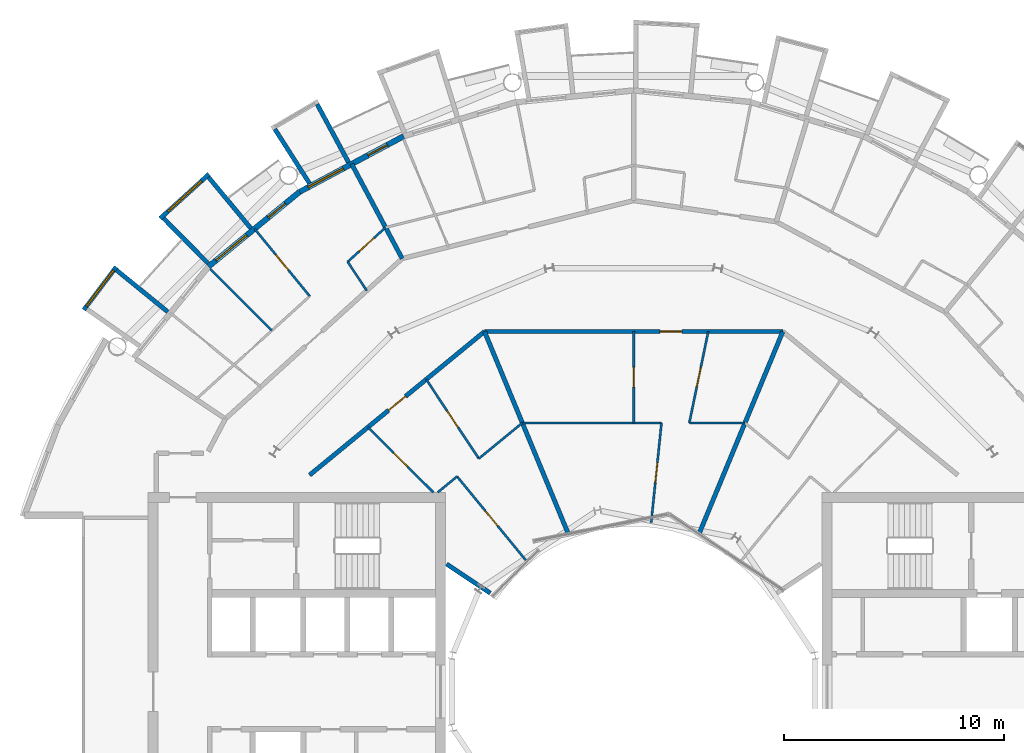
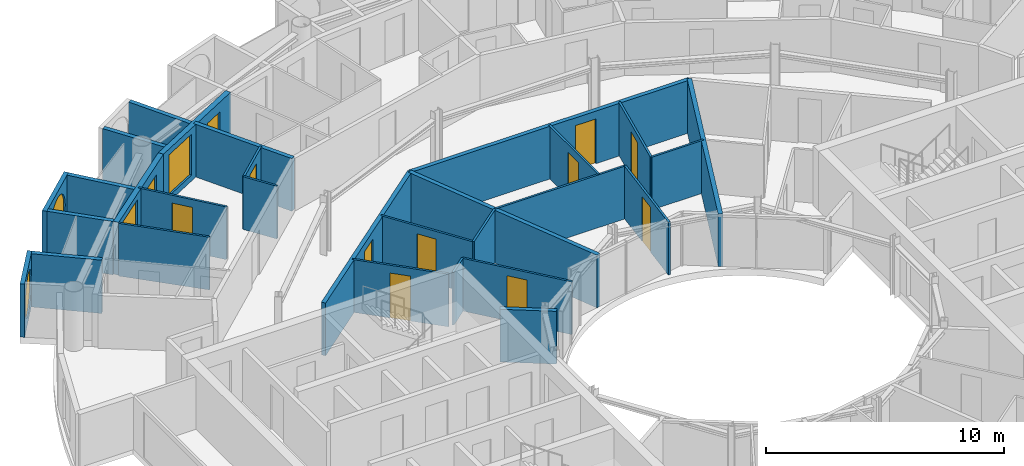
# One storey, part 21 of 29: 29 walls, 12 doors, 4 windows, 16 openings.
"""IFC4 building model written with IfcOpenShell, lengths in metres."""

from ifc_helpers import new_model, si_unit, direction, frame, frame_2d, origin, place, context, subcontext, project, spatial, rectangle, circle, extrude, material, layer, layer_set, type_object, element, fill, save


model = new_model("IFC4")

# Units and contexts
model_context = context("Model", 3, precision=1e-05, world=origin(), true_north=direction((0.0, 1.0)))
body_context = subcontext(model_context, "Body", "Model", "MODEL_VIEW")
ifc_project = project(units=[si_unit("LENGTHUNIT", "METRE"), si_unit("AREAUNIT", "SQUARE_METRE"), si_unit("VOLUMEUNIT", "CUBIC_METRE"), si_unit("PLANEANGLEUNIT", "RADIAN"), si_unit("MASSUNIT", "GRAM", prefix="KILO")], contexts=[model_context])

# Site, building, storey
site_placement = place(None, origin())
site = spatial("IfcSite", under=ifc_project, at=site_placement, CompositionType="ELEMENT")
building_placement = place(site_placement, origin())
building = spatial("IfcBuilding", under=site, at=building_placement, Name="Maasbend Ring Residences", CompositionType="ELEMENT")
storey_placement = place(building_placement, frame((0.0, 0.0, 215.75)))
storey = spatial("IfcBuildingStorey", under=building, at=storey_placement, Name="L62", CompositionType="ELEMENT", Elevation=215.75)

# Wall, opening, door
ifc_material_1 = material(Name="Concrete C30/37", Category="concrete")
ifc_layer_1 = layer(ifc_material_1, 0.199951171875)
ifc_layer_set_1 = layer_set([ifc_layer_1], Name="Concrete C30/37")
wall_type_1 = type_object("IfcWallType", Name="CORRIDOR WALL 200 CONCRETE", PredefinedType="PARTITIONING", material=ifc_layer_set_1)
wall_1_placement = place(storey_placement, frame((-6.77294921875, 16.35302734375, 0.0), z_axis=(0.0, 0.0, 1.0), x_axis=(1.0, 0.0, 0.0)))
wall_1 = element("IfcWall", 1, at=wall_1_placement, inside=storey, type_object=wall_type_1, Name="U-L62-w107", PredefinedType="PARTITIONING", context=body_context, shape_type="SweptSolid", body=[
    extrude(rectangle(XDim=13.5458984375, YDim=0.199951171875, at=frame_2d((6.77294921875, 0.0))), origin(), (0.0, 0.0, 1.0), 2.699951171875),
])
opening_1_placement = place(wall_1_placement, frame((7.966064453125, 0.0, 0.0)))
opening_1 = element("IfcOpeningElement", 2, at=opening_1_placement, cuts=wall_1, Name="Opening D-6227", PredefinedType="OPENING", context=body_context, shape_type="SweptSolid", body=[
    extrude(rectangle(XDim=1.0, YDim=2.300048828125, at=frame_2d((0.5, 1.14990234375))), frame((0.0, 0.10986328125, 0.0), z_axis=(0.0, -1.0, 0.0), x_axis=(1.0, 0.0, 0.0)), (0.0, 0.0, 1.0), 0.219970703125),
])
ifc_material_2 = material(Name="Timber, fire-rated, painted", Category="wood")
door_type_1 = type_object("IfcDoorType", Name="FLAT ENTRANCE DOOR 1000 X 2300 FIRE-RATED", OperationType="NOTDEFINED", PredefinedType="DOOR", material=ifc_material_2)
door_1_placement = place(opening_1_placement, origin())
door_1 = element("IfcDoor", 3, at=door_1_placement, inside=storey, type_object=door_type_1, Name="D-6227", OperationType="SINGLE_SWING_RIGHT", OverallHeight=2.300048828125, OverallWidth=1.0, PredefinedType="DOOR", context=body_context, shape_type="SweptSolid", body=[
    extrude(rectangle(XDim=1.0, YDim=2.300048828125, at=frame_2d((0.5, 1.14990234375))), frame((0.0, 0.02490234375, 0.0), z_axis=(0.0, -1.0, 0.0), x_axis=(1.0, 0.0, 0.0)), (0.0, 0.0, 1.0), 0.050048828125),
])
fill(opening_1, door_1)

wall_2_placement = place(storey_placement, frame((-14.717041015625, 9.833984375, 0.0), z_axis=(0.0, 0.0, 1.0), x_axis=(0.773034536097, 0.634363938131, 0.0)))
wall_2 = element("IfcWall", 4, at=wall_2_placement, inside=storey, type_object=wall_type_1, Name="U-L62-w108", PredefinedType="PARTITIONING", context=body_context, shape_type="SweptSolid", body=[
    extrude(rectangle(XDim=10.276611328125, YDim=0.199951171875, at=frame_2d((5.13818359375, 0.0))), origin(), (0.0, 0.0, 1.0), 2.699951171875),
])
opening_2_placement = place(wall_2_placement, frame((4.637939453125, 0.0, 0.0)))
opening_2 = element("IfcOpeningElement", 5, at=opening_2_placement, cuts=wall_2, Name="Opening D-6231", PredefinedType="OPENING", context=body_context, shape_type="SweptSolid", body=[
    extrude(rectangle(XDim=1.0, YDim=2.300048828125, at=frame_2d((0.5, 1.14990234375))), frame((0.0, 0.10986328125, 0.0), z_axis=(0.0, -1.0, 0.0), x_axis=(1.0, 0.0, 0.0)), (0.0, 0.0, 1.0), 0.219970703125),
])
door_2_placement = place(opening_2_placement, origin())
door_2 = element("IfcDoor", 6, at=door_2_placement, inside=storey, type_object=door_type_1, Name="D-6231", OperationType="SINGLE_SWING_LEFT", OverallHeight=2.300048828125, OverallWidth=1.0, PredefinedType="DOOR", context=body_context, shape_type="SweptSolid", body=[
    extrude(rectangle(XDim=1.0, YDim=2.300048828125, at=frame_2d((0.5, 1.14990234375))), frame((0.0, 0.02490234375, 0.0), z_axis=(0.0, -1.0, 0.0), x_axis=(1.0, 0.0, 0.0)), (0.0, 0.0, 1.0), 0.050048828125),
])
fill(opening_2, door_2)

# Walls
ifc_material_3 = material(Name="Pale anodised aluminium panel", Category="aluminium")
ifc_layer_2 = layer(ifc_material_3, 0.199951171875)
ifc_layer_set_2 = layer_set([ifc_layer_2], Name="EW-BOX")
wall_type_2 = type_object("IfcWallType", Name="EW-BOX", PredefinedType="SOLIDWALL", material=ifc_layer_set_2)
wall_3_placement = place(storey_placement, frame((-12.945068359375, 24.029052734375, -0.030029296875), z_axis=(0.0, 0.0, 1.0), x_axis=(-0.474424310775, 0.88029629861, 0.0)))
element("IfcWall", 7, at=wall_3_placement, inside=storey, type_object=wall_type_2, Name="Box side wall N16 left", PredefinedType="SOLIDWALL", context=body_context, shape_type="SweptSolid", body=[
    extrude(rectangle(XDim=3.005859375, YDim=0.199951171875, at=frame_2d((1.5029296875, 0.0))), origin(), (0.0, 0.0, 1.0), 2.72998046875),
])
wall_4_placement = place(storey_placement, frame((-14.721923828125, 23.0791015625, -0.030029296875), z_axis=(0.0, 0.0, 1.0), x_axis=(-0.537572179146, 0.843217737129, 0.0)))
element("IfcWall", 8, at=wall_4_placement, inside=storey, type_object=wall_type_2, Name="Box side wall N16 right", PredefinedType="SOLIDWALL", context=body_context, shape_type="SweptSolid", body=[
    extrude(rectangle(XDim=2.92431640625, YDim=0.199951171875, at=frame_2d((1.462158203125, 0.0))), origin(), (0.0, 0.0, 1.0), 2.72998046875),
])

# Wall, opening, window
wall_5_placement = place(storey_placement, frame((-19.281982421875, 23.5029296875, -0.030029296875), z_axis=(0.0, 0.0, 1.0), x_axis=(-0.740998365753, -0.671506829416, 0.0)))
wall_5 = element("IfcWall", 9, at=wall_5_placement, inside=storey, type_object=wall_type_2, Name="Box front N18", PredefinedType="SOLIDWALL", context=body_context, shape_type="SweptSolid", body=[
    extrude(rectangle(XDim=2.9931640625, YDim=0.199951171875, at=frame_2d((1.49658203125, 0.0))), origin(), (0.0, 0.0, 1.0), 2.72998046875),
])
opening_3_placement = place(wall_5_placement, frame((0.45654296875, 0.0, 0.330078125)))
opening_3 = element("IfcOpeningElement", 10, at=opening_3_placement, cuts=wall_5, Name="Opening W-RD", PredefinedType="OPENING", context=body_context, shape_type="SweptSolid", body=[
    extrude(circle(Radius=1.0400390625, at=frame_2d((1.0400390625, 1.0400390625))), frame((0.0, 0.10986328125, 0.0), z_axis=(0.0, -1.0, 0.0), x_axis=(1.0, 0.0, 0.0)), (0.0, 0.0, 1.0), 0.219970703125),
])
ifc_material_4 = material(Name="Aluminium and clear glass", Category="aluminium")
window_type_1 = type_object("IfcWindowType", Name="W-RD", PartitioningType="SINGLE_PANEL", PredefinedType="WINDOW", material=ifc_material_4)
window_1_placement = place(opening_3_placement, origin())
window_1 = element("IfcWindow", 11, at=window_1_placement, inside=storey, type_object=window_type_1, Name="Round window N18", OverallHeight=2.080078125, OverallWidth=2.080078125, PartitioningType="SINGLE_PANEL", PredefinedType="WINDOW", context=body_context, shape_type="SweptSolid", body=[
    extrude(circle(Radius=1.0400390625, at=frame_2d((1.0400390625, 1.0400390625))), frame((0.0, 0.030029296875, 0.0), z_axis=(0.0, -1.0, 0.0), x_axis=(1.0, 0.0, 0.0)), (0.0, 0.0, 1.0), 0.06005859375),
])
fill(opening_3, window_1)

# Walls
wall_6_placement = place(storey_placement, frame((-17.384033203125, 21.041015625, -0.030029296875), z_axis=(0.0, 0.0, 1.0), x_axis=(-0.63709551667, 0.770784861449, 0.0)))
element("IfcWall", 12, at=wall_6_placement, inside=storey, type_object=wall_type_2, Name="Box side wall N18 left", PredefinedType="SOLIDWALL", context=body_context, shape_type="SweptSolid", body=[
    extrude(rectangle(XDim=3.005859375, YDim=0.199951171875, at=frame_2d((1.5029296875, 0.0))), origin(), (0.0, 0.0, 1.0), 2.72998046875),
])
wall_7_placement = place(storey_placement, frame((-19.322998046875, 19.449951171875, -0.030029296875), z_axis=(0.0, 0.0, 1.0), x_axis=(-0.704476739375, 0.709727076896, 0.0)))
element("IfcWall", 13, at=wall_7_placement, inside=storey, type_object=wall_type_2, Name="Box side wall N18 right", PredefinedType="SOLIDWALL", context=body_context, shape_type="SweptSolid", body=[
    extrude(rectangle(XDim=2.883056640625, YDim=0.199951171875, at=frame_2d((1.44140625, 0.0))), origin(), (0.0, 0.0, 1.0), 2.72998046875),
])

# Wall, opening, window
wall_8_placement = place(storey_placement, frame((-23.4970703125, 19.2890625, -0.030029296875), z_axis=(0.0, 0.0, 1.0), x_axis=(-0.602806268067, -0.797887588059, 0.0)))
wall_8 = element("IfcWall", 14, at=wall_8_placement, inside=storey, type_object=wall_type_2, Name="Box front N20", PredefinedType="SOLIDWALL", context=body_context, shape_type="SweptSolid", body=[
    extrude(rectangle(XDim=2.446533203125, YDim=0.199951171875, at=frame_2d((1.22314453125, 0.0))), origin(), (0.0, 0.0, 1.0), 2.72998046875),
])
opening_4_placement = place(wall_8_placement, frame((0.182861328125, 0.0, 0.330078125)))
opening_4 = element("IfcOpeningElement", 15, at=opening_4_placement, cuts=wall_8, Name="Opening W-RD", PredefinedType="OPENING", context=body_context, shape_type="SweptSolid", body=[
    extrude(circle(Radius=1.0400390625, at=frame_2d((1.0400390625, 1.0400390625))), frame((0.0, 0.10986328125, 0.0), z_axis=(0.0, -1.0, 0.0), x_axis=(1.0, 0.0, 0.0)), (0.0, 0.0, 1.0), 0.219970703125),
])
window_2_placement = place(opening_4_placement, origin())
window_2 = element("IfcWindow", 16, at=window_2_placement, inside=storey, type_object=window_type_1, Name="Round window N20", OverallHeight=2.080078125, OverallWidth=2.080078125, PartitioningType="SINGLE_PANEL", PredefinedType="WINDOW", context=body_context, shape_type="SweptSolid", body=[
    extrude(circle(Radius=1.0400390625, at=frame_2d((1.0400390625, 1.0400390625))), frame((0.0, 0.030029296875, 0.0), z_axis=(0.0, -1.0, 0.0), x_axis=(1.0, 0.0, 0.0)), (0.0, 0.0, 1.0), 0.06005859375),
])
fill(opening_4, window_2)

# Wall
wall_9_placement = place(storey_placement, frame((-21.155029296875, 17.24609375, -0.030029296875), z_axis=(0.0, 0.0, 1.0), x_axis=(-0.775179004516, 0.631741648902, 0.0)))
element("IfcWall", 17, at=wall_9_placement, inside=storey, type_object=wall_type_2, Name="Box side wall N20 left", PredefinedType="SOLIDWALL", context=body_context, shape_type="SweptSolid", body=[
    extrude(rectangle(XDim=3.005859375, YDim=0.199951171875, at=frame_2d((1.5029296875, 0.0))), origin(), (0.0, 0.0, 1.0), 2.72998046875),
])

# Wall, openings, door, window
ifc_material_5 = material(Name="Aluminium clad insulated panel", Category="aluminium")
ifc_layer_3 = layer(ifc_material_5, 0.25)
ifc_layer_set_3 = layer_set([ifc_layer_3], Name="EW-GL")
wall_type_3 = type_object("IfcWallType", Name="EW-GL", PredefinedType="SOLIDWALL", material=ifc_layer_set_3)
wall_10_placement = place(storey_placement, frame((-10.447021484375, 25.221923828125, 0.0), z_axis=(0.0, 0.0, 1.0), x_axis=(-0.881915646801, -0.471407246368, 0.0)))
wall_10 = element("IfcWall", 18, at=wall_10_placement, inside=storey, type_object=wall_type_3, Name="External wall N08", PredefinedType="SOLIDWALL", context=body_context, shape_type="SweptSolid", body=[
    extrude(rectangle(XDim=5.35205078125, YDim=0.25, at=frame_2d((2.676025390625, 0.0))), origin(), (0.0, 0.0, 1.0), 2.699951171875),
])
opening_5_placement = place(wall_10_placement, frame((0.841064453125, 0.0, 0.0)))
opening_5 = element("IfcOpeningElement", 19, at=opening_5_placement, cuts=wall_10, Name="Opening D-LG", PredefinedType="OPENING", context=body_context, shape_type="SweptSolid", body=[
    extrude(rectangle(XDim=1.0, YDim=2.199951171875, at=frame_2d((0.5, 1.10009765625))), frame((0.0, 0.135009765625, 0.0), z_axis=(0.0, -1.0, 0.0), x_axis=(1.0, 0.0, 0.0)), (0.0, 0.0, 1.0), 0.27001953125),
])
opening_6_placement = place(wall_10_placement, frame((3.110595703125, 0.0, 0.300048828125)))
opening_6 = element("IfcOpeningElement", 20, at=opening_6_placement, cuts=wall_10, Name="Opening W-BX", PredefinedType="OPENING", context=body_context, shape_type="SweptSolid", body=[
    extrude(rectangle(XDim=1.800048828125, YDim=2.10009765625, at=frame_2d((0.89990234375, 1.050048828125))), frame((0.0, 0.135009765625, 0.0), z_axis=(0.0, -1.0, 0.0), x_axis=(1.0, 0.0, 0.0)), (0.0, 0.0, 1.0), 0.27001953125),
])
ifc_material_6 = material(Name="Aluminium and clear glass", Category="aluminium")
door_type_2 = type_object("IfcDoorType", Name="D-LG", OperationType="SINGLE_SWING_LEFT", PredefinedType="DOOR", material=ifc_material_6)
door_3_placement = place(opening_5_placement, origin())
door_3 = element("IfcDoor", 21, at=door_3_placement, inside=storey, type_object=door_type_2, Name="Loggia door N15", OperationType="SINGLE_SWING_LEFT", OverallHeight=2.199951171875, OverallWidth=1.0, PredefinedType="DOOR", context=body_context, shape_type="SweptSolid", body=[
    extrude(rectangle(XDim=1.0, YDim=2.199951171875, at=frame_2d((0.5, 1.10009765625))), frame((0.0, 0.02490234375, 0.0), z_axis=(0.0, -1.0, 0.0), x_axis=(1.0, 0.0, 0.0)), (0.0, 0.0, 1.0), 0.050048828125),
])
fill(opening_5, door_3)
ifc_material_7 = material(Name="Aluminium and clear glass", Category="aluminium")
window_type_2 = type_object("IfcWindowType", Name="W-BX", PartitioningType="DOUBLE_PANEL_VERTICAL", PredefinedType="WINDOW", material=ifc_material_7)
window_3_placement = place(opening_6_placement, origin())
window_3 = element("IfcWindow", 22, at=window_3_placement, inside=storey, type_object=window_type_2, Name="Window N16 room to box", OverallHeight=2.10009765625, OverallWidth=1.800048828125, PartitioningType="SINGLE_PANEL", PredefinedType="WINDOW", context=body_context, shape_type="SweptSolid", body=[
    extrude(rectangle(XDim=1.800048828125, YDim=2.10009765625, at=frame_2d((0.89990234375, 1.050048828125))), frame((0.0, 0.030029296875, 0.0), z_axis=(0.0, -1.0, 0.0), x_axis=(1.0, 0.0, 0.0)), (0.0, 0.0, 1.0), 0.06005859375),
])
fill(opening_6, window_3)

wall_11_placement = place(storey_placement, frame((-15.1669921875, 22.698974609375, 0.0), z_axis=(0.0, 0.0, 1.0), x_axis=(-0.773019449054, -0.634382322723, 0.0)))
wall_11 = element("IfcWall", 23, at=wall_11_placement, inside=storey, type_object=wall_type_3, Name="External wall N09", PredefinedType="SOLIDWALL", context=body_context, shape_type="SweptSolid", body=[
    extrude(rectangle(XDim=5.351806640625, YDim=0.25, at=frame_2d((2.67578125, 0.0))), origin(), (0.0, 0.0, 1.0), 2.699951171875),
])
opening_7_placement = place(wall_11_placement, frame((0.841064453125, 0.0, 0.0)))
opening_7 = element("IfcOpeningElement", 24, at=opening_7_placement, cuts=wall_11, Name="Opening D-LG", PredefinedType="OPENING", context=body_context, shape_type="SweptSolid", body=[
    extrude(rectangle(XDim=1.0, YDim=2.199951171875, at=frame_2d((0.5, 1.10009765625))), frame((0.0, 0.135009765625, 0.0), z_axis=(0.0, -1.0, 0.0), x_axis=(1.0, 0.0, 0.0)), (0.0, 0.0, 1.0), 0.27001953125),
])
opening_8_placement = place(wall_11_placement, frame((3.110595703125, 0.0, 0.300048828125)))
opening_8 = element("IfcOpeningElement", 25, at=opening_8_placement, cuts=wall_11, Name="Opening W-BX", PredefinedType="OPENING", context=body_context, shape_type="SweptSolid", body=[
    extrude(rectangle(XDim=1.800048828125, YDim=2.10009765625, at=frame_2d((0.89990234375, 1.050048828125))), frame((0.0, 0.135009765625, 0.0), z_axis=(0.0, -1.0, 0.0), x_axis=(1.0, 0.0, 0.0)), (0.0, 0.0, 1.0), 0.27001953125),
])
door_4_placement = place(opening_7_placement, origin())
door_4 = element("IfcDoor", 26, at=door_4_placement, inside=storey, type_object=door_type_2, Name="Loggia door N17", OperationType="SINGLE_SWING_LEFT", OverallHeight=2.199951171875, OverallWidth=1.0, PredefinedType="DOOR", context=body_context, shape_type="SweptSolid", body=[
    extrude(rectangle(XDim=1.0, YDim=2.199951171875, at=frame_2d((0.5, 1.10009765625))), frame((0.0, 0.02490234375, 0.0), z_axis=(0.0, -1.0, 0.0), x_axis=(1.0, 0.0, 0.0)), (0.0, 0.0, 1.0), 0.050048828125),
])
fill(opening_7, door_4)
window_4_placement = place(opening_8_placement, origin())
window_4 = element("IfcWindow", 27, at=window_4_placement, inside=storey, type_object=window_type_2, Name="Window N18 room to box", OverallHeight=2.10009765625, OverallWidth=1.800048828125, PartitioningType="SINGLE_PANEL", PredefinedType="WINDOW", context=body_context, shape_type="SweptSolid", body=[
    extrude(rectangle(XDim=1.800048828125, YDim=2.10009765625, at=frame_2d((0.89990234375, 1.050048828125))), frame((0.0, 0.030029296875, 0.0), z_axis=(0.0, -1.0, 0.0), x_axis=(1.0, 0.0, 0.0)), (0.0, 0.0, 1.0), 0.06005859375),
])
fill(opening_8, window_4)

# Wall
ifc_material_8 = material(Name="Gypsum board on steel studs", Category="steel")
ifc_layer_4 = layer(ifc_material_8, 0.10009765625)
ifc_layer_set_4 = layer_set([ifc_layer_4], Name="PARTITION 100 GYPSUM")
wall_type_4 = type_object("IfcWallType", Name="PARTITION 100 GYPSUM", PredefinedType="PARTITIONING", material=ifc_layer_set_4)
wall_12_placement = place(storey_placement, frame((-19.23388671875, 19.197021484375, 0.0), z_axis=(0.0, 0.0, 1.0), x_axis=(0.707722727509, -0.706490297858, 0.0)))
element("IfcWall", 28, at=wall_12_placement, inside=storey, type_object=wall_type_4, Name="U-L62-w042", PredefinedType="PARTITIONING", context=body_context, shape_type="SweptSolid", body=[
    extrude(rectangle(XDim=3.9619140625, YDim=0.10009765625, at=frame_2d((1.98095703125, 0.0))), origin(), (0.0, 0.0, 1.0), 2.699951171875),
])

# Wall, opening, door
wall_13_placement = place(storey_placement, frame((-17.218994140625, 21.02294921875, 0.0), z_axis=(0.0, 0.0, 1.0), x_axis=(0.633590098448, -0.773668913133, 0.0)))
wall_13 = element("IfcWall", 29, at=wall_13_placement, inside=storey, type_object=wall_type_4, Name="U-L62-w044", PredefinedType="PARTITIONING", context=body_context, shape_type="SweptSolid", body=[
    extrude(rectangle(XDim=3.961669921875, YDim=0.10009765625, at=frame_2d((1.98095703125, 0.0))), origin(), (0.0, 0.0, 1.0), 2.699951171875),
])
opening_9_placement = place(wall_13_placement, frame((1.531005859375, 0.0, 0.0)))
opening_9 = element("IfcOpeningElement", 30, at=opening_9_placement, cuts=wall_13, Name="Opening D-6220", PredefinedType="OPENING", context=body_context, shape_type="SweptSolid", body=[
    extrude(rectangle(XDim=0.89990234375, YDim=2.300048828125, at=frame_2d((0.449951171875, 1.14990234375))), frame((0.0, 0.06005859375, 0.0), z_axis=(0.0, -1.0, 0.0), x_axis=(1.0, 0.0, 0.0)), (0.0, 0.0, 1.0), 0.1201171875),
])
ifc_material_9 = material(Name="Timber, painted", Category="wood")
door_type_3 = type_object("IfcDoorType", Name="INTERNAL DOOR 900 X 2300", OperationType="NOTDEFINED", PredefinedType="DOOR", material=ifc_material_9)
door_5_placement = place(opening_9_placement, origin())
door_5 = element("IfcDoor", 31, at=door_5_placement, inside=storey, type_object=door_type_3, Name="D-6220", OperationType="SINGLE_SWING_LEFT", OverallHeight=2.300048828125, OverallWidth=0.89990234375, PredefinedType="DOOR", context=body_context, shape_type="SweptSolid", body=[
    extrude(rectangle(XDim=0.89990234375, YDim=2.300048828125, at=frame_2d((0.449951171875, 1.14990234375))), frame((0.0, 0.02490234375, 0.0), z_axis=(0.0, -1.0, 0.0), x_axis=(1.0, 0.0, 0.0)), (0.0, 0.0, 1.0), 0.050048828125),
])
fill(opening_9, door_5)

# Wall
wall_14_placement = place(storey_placement, frame((-12.988037109375, 19.51806640625, 0.0), z_axis=(0.0, 0.0, 1.0), x_axis=(0.554125989098, -0.832432813028, 0.0)))
element("IfcWall", 32, at=wall_14_placement, inside=storey, type_object=wall_type_4, Name="U-L62-w046", PredefinedType="PARTITIONING", context=body_context, shape_type="SweptSolid", body=[
    extrude(rectangle(XDim=1.5703125, YDim=0.10009765625, at=frame_2d((0.78515625, 0.0))), origin(), (0.0, 0.0, 1.0), 2.699951171875),
])

# Wall, opening, door
wall_15_placement = place(storey_placement, frame((-12.069091796875, 12.007080078125, 0.0), z_axis=(0.0, 0.0, 1.0), x_axis=(0.708909651863, -0.705299302067, 0.0)))
wall_15 = element("IfcWall", 33, at=wall_15_placement, inside=storey, type_object=wall_type_4, Name="U-L62-w049", PredefinedType="PARTITIONING", context=body_context, shape_type="SweptSolid", body=[
    extrude(rectangle(XDim=4.192626953125, YDim=0.10009765625, at=frame_2d((2.09619140625, 0.0))), origin(), (0.0, 0.0, 1.0), 2.699951171875),
])
opening_10_placement = place(wall_15_placement, frame((1.64599609375, 0.0, 0.0)))
opening_10 = element("IfcOpeningElement", 34, at=opening_10_placement, cuts=wall_15, Name="Opening D-6233", PredefinedType="OPENING", context=body_context, shape_type="SweptSolid", body=[
    extrude(rectangle(XDim=0.89990234375, YDim=2.300048828125, at=frame_2d((0.449951171875, 1.14990234375))), frame((0.0, 0.06005859375, 0.0), z_axis=(0.0, -1.0, 0.0), x_axis=(1.0, 0.0, 0.0)), (0.0, 0.0, 1.0), 0.1201171875),
])
door_6_placement = place(opening_10_placement, origin())
door_6 = element("IfcDoor", 35, at=door_6_placement, inside=storey, type_object=door_type_3, Name="D-6233", OperationType="SINGLE_SWING_RIGHT", OverallHeight=2.300048828125, OverallWidth=0.89990234375, PredefinedType="DOOR", context=body_context, shape_type="SweptSolid", body=[
    extrude(rectangle(XDim=0.89990234375, YDim=2.300048828125, at=frame_2d((0.449951171875, 1.14990234375))), frame((0.0, 0.02490234375, 0.0), z_axis=(0.0, -1.0, 0.0), x_axis=(1.0, 0.0, 0.0)), (0.0, 0.0, 1.0), 0.050048828125),
])
fill(opening_10, door_6)

wall_16_placement = place(storey_placement, frame((-9.4208984375, 14.179931640625, 0.0), z_axis=(0.0, 0.0, 1.0), x_axis=(0.553303732327, -0.832979579457, 0.0)))
wall_16 = element("IfcWall", 36, at=wall_16_placement, inside=storey, type_object=wall_type_4, Name="U-L62-w051", PredefinedType="PARTITIONING", context=body_context, shape_type="SweptSolid", body=[
    extrude(rectangle(XDim=4.3193359375, YDim=0.10009765625, at=frame_2d((2.15966796875, 0.0))), origin(), (0.0, 0.0, 1.0), 2.699951171875),
])
opening_11_placement = place(wall_16_placement, frame((1.7099609375, 0.0, 0.0)))
opening_11 = element("IfcOpeningElement", 37, at=opening_11_placement, cuts=wall_16, Name="Opening D-6232", PredefinedType="OPENING", context=body_context, shape_type="SweptSolid", body=[
    extrude(rectangle(XDim=0.89990234375, YDim=2.300048828125, at=frame_2d((0.449951171875, 1.14990234375))), frame((0.0, 0.06005859375, 0.0), z_axis=(0.0, -1.0, 0.0), x_axis=(1.0, 0.0, 0.0)), (0.0, 0.0, 1.0), 0.1201171875),
])
door_7_placement = place(opening_11_placement, origin())
door_7 = element("IfcDoor", 38, at=door_7_placement, inside=storey, type_object=door_type_3, Name="D-6232", OperationType="SINGLE_SWING_RIGHT", OverallHeight=2.300048828125, OverallWidth=0.89990234375, PredefinedType="DOOR", context=body_context, shape_type="SweptSolid", body=[
    extrude(rectangle(XDim=0.89990234375, YDim=2.300048828125, at=frame_2d((0.449951171875, 1.14990234375))), frame((0.0, 0.02490234375, 0.0), z_axis=(0.0, -1.0, 0.0), x_axis=(1.0, 0.0, 0.0)), (0.0, 0.0, 1.0), 0.050048828125),
])
fill(opening_11, door_7)

wall_17_placement = place(storey_placement, frame((-8.01904296875, 9.77099609375, 0.0), z_axis=(0.0, 0.0, 1.0), x_axis=(0.634401778971, -0.773003481776, 0.0)))
wall_17 = element("IfcWall", 39, at=wall_17_placement, inside=storey, type_object=wall_type_4, Name="U-L62-w053", PredefinedType="PARTITIONING", context=body_context, shape_type="SweptSolid", body=[
    extrude(rectangle(XDim=4.919677734375, YDim=0.10009765625, at=frame_2d((2.4599609375, 0.0))), origin(), (0.0, 0.0, 1.0), 2.699951171875),
])
opening_12_placement = place(wall_17_placement, frame((2.010009765625, 0.0, 0.0)))
opening_12 = element("IfcOpeningElement", 40, at=opening_12_placement, cuts=wall_17, Name="Opening D-6234", PredefinedType="OPENING", context=body_context, shape_type="SweptSolid", body=[
    extrude(rectangle(XDim=0.89990234375, YDim=2.300048828125, at=frame_2d((0.449951171875, 1.14990234375))), frame((0.0, 0.06005859375, 0.0), z_axis=(0.0, -1.0, 0.0), x_axis=(1.0, 0.0, 0.0)), (0.0, 0.0, 1.0), 0.1201171875),
])
door_8_placement = place(opening_12_placement, origin())
door_8 = element("IfcDoor", 41, at=door_8_placement, inside=storey, type_object=door_type_3, Name="D-6234", OperationType="SINGLE_SWING_RIGHT", OverallHeight=2.300048828125, OverallWidth=0.89990234375, PredefinedType="DOOR", context=body_context, shape_type="SweptSolid", body=[
    extrude(rectangle(XDim=0.89990234375, YDim=2.300048828125, at=frame_2d((0.449951171875, 1.14990234375))), frame((0.0, 0.02490234375, 0.0), z_axis=(0.0, -1.0, 0.0), x_axis=(1.0, 0.0, 0.0)), (0.0, 0.0, 1.0), 0.050048828125),
])
fill(opening_12, door_8)

wall_18_placement = place(storey_placement, frame((0.0, 12.2041015625, 0.0), z_axis=(0.0, 0.0, 1.0), x_axis=(0.0, 1.0, 0.0)))
wall_18 = element("IfcWall", 42, at=wall_18_placement, inside=storey, type_object=wall_type_4, Name="U-L62-w065", PredefinedType="PARTITIONING", context=body_context, shape_type="SweptSolid", body=[
    extrude(rectangle(XDim=4.14892578125, YDim=0.10009765625, at=frame_2d((2.074462890625, 0.0))), origin(), (0.0, 0.0, 1.0), 2.699951171875),
])
opening_13_placement = place(wall_18_placement, frame((1.625, 0.0, 0.0)))
opening_13 = element("IfcOpeningElement", 43, at=opening_13_placement, cuts=wall_18, Name="Opening D-6229", PredefinedType="OPENING", context=body_context, shape_type="SweptSolid", body=[
    extrude(rectangle(XDim=0.89990234375, YDim=2.300048828125, at=frame_2d((0.449951171875, 1.14990234375))), frame((0.0, 0.06005859375, 0.0), z_axis=(0.0, -1.0, 0.0), x_axis=(1.0, 0.0, 0.0)), (0.0, 0.0, 1.0), 0.1201171875),
])
door_9_placement = place(opening_13_placement, origin())
door_9 = element("IfcDoor", 44, at=door_9_placement, inside=storey, type_object=door_type_3, Name="D-6229", OperationType="SINGLE_SWING_RIGHT", OverallHeight=2.300048828125, OverallWidth=0.89990234375, PredefinedType="DOOR", context=body_context, shape_type="SweptSolid", body=[
    extrude(rectangle(XDim=0.89990234375, YDim=2.300048828125, at=frame_2d((0.449951171875, 1.14990234375))), frame((0.0, 0.02490234375, 0.0), z_axis=(0.0, -1.0, 0.0), x_axis=(1.0, 0.0, 0.0)), (0.0, 0.0, 1.0), 0.050048828125),
])
fill(opening_13, door_9)

wall_19_placement = place(storey_placement, frame((0.794921875, 7.678955078125, 0.0), z_axis=(0.0, 0.0, 1.0), x_axis=(0.103089563582, 0.994672077561, 0.0)))
wall_19 = element("IfcWall", 45, at=wall_19_placement, inside=storey, type_object=wall_type_4, Name="U-L62-w068", PredefinedType="PARTITIONING", context=body_context, shape_type="SweptSolid", body=[
    extrude(rectangle(XDim=4.54931640625, YDim=0.10009765625, at=frame_2d((2.274658203125, 0.0))), origin(), (0.0, 0.0, 1.0), 2.699951171875),
])
opening_14_placement = place(wall_19_placement, frame((1.824951171875, 0.0, 0.0)))
opening_14 = element("IfcOpeningElement", 46, at=opening_14_placement, cuts=wall_19, Name="Opening D-6230", PredefinedType="OPENING", context=body_context, shape_type="SweptSolid", body=[
    extrude(rectangle(XDim=0.89990234375, YDim=2.300048828125, at=frame_2d((0.449951171875, 1.14990234375))), frame((0.0, 0.06005859375, 0.0), z_axis=(0.0, -1.0, 0.0), x_axis=(1.0, 0.0, 0.0)), (0.0, 0.0, 1.0), 0.1201171875),
])
door_10_placement = place(opening_14_placement, origin())
door_10 = element("IfcDoor", 47, at=door_10_placement, inside=storey, type_object=door_type_3, Name="D-6230", OperationType="SINGLE_SWING_RIGHT", OverallHeight=2.300048828125, OverallWidth=0.89990234375, PredefinedType="DOOR", context=body_context, shape_type="SweptSolid", body=[
    extrude(rectangle(XDim=0.89990234375, YDim=2.300048828125, at=frame_2d((0.449951171875, 1.14990234375))), frame((0.0, 0.02490234375, 0.0), z_axis=(0.0, -1.0, 0.0), x_axis=(1.0, 0.0, 0.0)), (0.0, 0.0, 1.0), 0.050048828125),
])
fill(opening_14, door_10)

wall_20_placement = place(storey_placement, frame((2.527099609375, 12.2041015625, 0.0), z_axis=(0.0, 0.0, 1.0), x_axis=(0.202937120105, 0.979191771454, 0.0)))
wall_20 = element("IfcWall", 48, at=wall_20_placement, inside=storey, type_object=wall_type_4, Name="U-L62-w072", PredefinedType="PARTITIONING", context=body_context, shape_type="SweptSolid", body=[
    extrude(rectangle(XDim=4.237060546875, YDim=0.10009765625, at=frame_2d((2.11865234375, 0.0))), origin(), (0.0, 0.0, 1.0), 2.699951171875),
])
opening_15_placement = place(wall_20_placement, frame((1.6689453125, 0.0, 0.0)))
opening_15 = element("IfcOpeningElement", 49, at=opening_15_placement, cuts=wall_20, Name="Opening D-6228", PredefinedType="OPENING", context=body_context, shape_type="SweptSolid", body=[
    extrude(rectangle(XDim=0.89990234375, YDim=2.300048828125, at=frame_2d((0.449951171875, 1.14990234375))), frame((0.0, 0.06005859375, 0.0), z_axis=(0.0, -1.0, 0.0), x_axis=(1.0, 0.0, 0.0)), (0.0, 0.0, 1.0), 0.1201171875),
])
door_11_placement = place(opening_15_placement, origin())
door_11 = element("IfcDoor", 50, at=door_11_placement, inside=storey, type_object=door_type_3, Name="D-6228", OperationType="SINGLE_SWING_RIGHT", OverallHeight=2.300048828125, OverallWidth=0.89990234375, PredefinedType="DOOR", context=body_context, shape_type="SweptSolid", body=[
    extrude(rectangle(XDim=0.89990234375, YDim=2.300048828125, at=frame_2d((0.449951171875, 1.14990234375))), frame((0.0, 0.02490234375, 0.0), z_axis=(0.0, -1.0, 0.0), x_axis=(1.0, 0.0, 0.0)), (0.0, 0.0, 1.0), 0.050048828125),
])
fill(opening_15, door_11)

# Walls
wall_21_placement = place(storey_placement, frame((-5.054931640625, 12.2041015625, 0.0), z_axis=(0.0, 0.0, 1.0), x_axis=(1.0, 0.0, 0.0)))
element("IfcWall", 51, at=wall_21_placement, inside=storey, type_object=wall_type_4, Name="U-L62-w101", PredefinedType="PARTITIONING", context=body_context, shape_type="SweptSolid", body=[
    extrude(rectangle(XDim=6.31884765625, YDim=0.10009765625, at=frame_2d((3.159423828125, 0.0))), origin(), (0.0, 0.0, 1.0), 2.699951171875),
])
wall_22_placement = place(storey_placement, frame((2.527099609375, 12.2041015625, 0.0), z_axis=(0.0, 0.0, 1.0), x_axis=(1.0, 0.0, 0.0)))
element("IfcWall", 52, at=wall_22_placement, inside=storey, type_object=wall_type_4, Name="U-L62-w102", PredefinedType="PARTITIONING", context=body_context, shape_type="SweptSolid", body=[
    extrude(rectangle(XDim=2.52783203125, YDim=0.10009765625, at=frame_2d((1.263916015625, 0.0))), origin(), (0.0, 0.0, 1.0), 2.699951171875),
])
wall_23_placement = place(storey_placement, frame((-8.902099609375, 9.0458984375, 0.0), z_axis=(0.0, 0.0, 1.0), x_axis=(0.772842270779, 0.63459815986, 0.0)))
element("IfcWall", 53, at=wall_23_placement, inside=storey, type_object=wall_type_4, Name="U-L62-w103", PredefinedType="PARTITIONING", context=body_context, shape_type="SweptSolid", body=[
    extrude(rectangle(XDim=1.142578125, YDim=0.10009765625, at=frame_2d((0.5712890625, 0.0))), origin(), (0.0, 0.0, 1.0), 2.699951171875),
])
wall_24_placement = place(storey_placement, frame((-7.032958984375, 10.5810546875, 0.0), z_axis=(0.0, 0.0, 1.0), x_axis=(0.772990508216, 0.634417586617, 0.0)))
element("IfcWall", 54, at=wall_24_placement, inside=storey, type_object=wall_type_4, Name="U-L62-w104", PredefinedType="PARTITIONING", context=body_context, shape_type="SweptSolid", body=[
    extrude(rectangle(XDim=2.556396484375, YDim=0.10009765625, at=frame_2d((1.2783203125, 0.0))), origin(), (0.0, 0.0, 1.0), 2.699951171875),
])

# Wall, opening, door
wall_25_placement = place(storey_placement, frame((-12.992919921875, 19.512939453125, 0.0), z_axis=(0.0, 0.0, 1.0), x_axis=(0.74087097024, 0.671647381783, 0.0)))
wall_25 = element("IfcWall", 55, at=wall_25_placement, inside=storey, type_object=wall_type_4, Name="U-L62-w120", PredefinedType="PARTITIONING", context=body_context, shape_type="SweptSolid", body=[
    extrude(rectangle(XDim=2.32421875, YDim=0.10009765625, at=frame_2d((1.162109375, 0.0))), origin(), (0.0, 0.0, 1.0), 2.699951171875),
])
opening_16_placement = place(wall_25_placement, frame((0.718994140625, 0.0, 0.0)))
opening_16 = element("IfcOpeningElement", 56, at=opening_16_placement, cuts=wall_25, Name="Opening D-6218", PredefinedType="OPENING", context=body_context, shape_type="SweptSolid", body=[
    extrude(rectangle(XDim=0.89990234375, YDim=2.300048828125, at=frame_2d((0.449951171875, 1.14990234375))), frame((0.0, 0.06005859375, 0.0), z_axis=(0.0, -1.0, 0.0), x_axis=(1.0, 0.0, 0.0)), (0.0, 0.0, 1.0), 0.1201171875),
])
door_12_placement = place(opening_16_placement, origin())
door_12 = element("IfcDoor", 57, at=door_12_placement, inside=storey, type_object=door_type_3, Name="D-6218", OperationType="SINGLE_SWING_RIGHT", OverallHeight=2.300048828125, OverallWidth=0.89990234375, PredefinedType="DOOR", context=body_context, shape_type="SweptSolid", body=[
    extrude(rectangle(XDim=0.89990234375, YDim=2.300048828125, at=frame_2d((0.449951171875, 1.14990234375))), frame((0.0, 0.02490234375, 0.0), z_axis=(0.0, -1.0, 0.0), x_axis=(1.0, 0.0, 0.0)), (0.0, 0.0, 1.0), 0.050048828125),
])
fill(opening_16, door_12)

# Walls
ifc_material_10 = material(Name="Concrete C30/37", Category="concrete")
ifc_layer_5 = layer(ifc_material_10, 0.199951171875)
ifc_layer_set_5 = layer_set([ifc_layer_5], Name="Concrete C30/37")
wall_type_5 = type_object("IfcWallType", Name="PARTY WALL 200 CONCRETE", PredefinedType="PARTITIONING", material=ifc_layer_set_5)
wall_26_placement = place(storey_placement, frame((-12.80908203125, 23.966064453125, 0.0), z_axis=(0.0, 0.0, 1.0), x_axis=(0.471271812246, -0.881988026553, 0.0)))
element("IfcWall", 58, at=wall_26_placement, inside=storey, type_object=wall_type_5, Name="U-L62-w048", PredefinedType="PARTITIONING", context=body_context, shape_type="SweptSolid", body=[
    extrude(rectangle(XDim=4.874267578125, YDim=0.199951171875, at=frame_2d((2.43701171875, 0.0))), origin(), (0.0, 0.0, 1.0), 2.699951171875),
])
wall_27_placement = place(storey_placement, frame((-6.77294921875, 16.35302734375, 0.0), z_axis=(0.0, 0.0, 1.0), x_axis=(0.382549125466, -0.923935152814, 0.0)))
element("IfcWall", 59, at=wall_27_placement, inside=storey, type_object=wall_type_5, Name="U-L62-w055", PredefinedType="PARTITIONING", context=body_context, shape_type="SweptSolid", body=[
    extrude(rectangle(XDim=9.97998046875, YDim=0.199951171875, at=frame_2d((4.989990234375, 0.0))), origin(), (0.0, 0.0, 1.0), 2.699951171875),
])
wall_28_placement = place(storey_placement, frame((2.9541015625, 7.132080078125, 0.0), z_axis=(0.0, 0.0, 1.0), x_axis=(0.382632652025, 0.923900564782, 0.0)))
element("IfcWall", 60, at=wall_28_placement, inside=storey, type_object=wall_type_5, Name="U-L62-w074", PredefinedType="PARTITIONING", context=body_context, shape_type="SweptSolid", body=[
    extrude(rectangle(XDim=9.98046875, YDim=0.199951171875, at=frame_2d((4.990234375, 0.0))), origin(), (0.0, 0.0, 1.0), 2.699951171875),
])
wall_29_placement = place(storey_placement, frame((-6.512939453125, 4.471923828125, 0.0), z_axis=(0.0, 0.0, 1.0), x_axis=(-0.831403409976, 0.555669299026, 0.0)))
element("IfcWall", 61, at=wall_29_placement, inside=storey, type_object=wall_type_5, Name="U-L62-w097", PredefinedType="PARTITIONING", context=body_context, shape_type="SweptSolid", body=[
    extrude(rectangle(XDim=2.382568359375, YDim=0.199951171875, at=frame_2d((1.19140625, 0.0))), origin(), (0.0, 0.0, 1.0), 2.699951171875),
])

save(model, "model.ifc")
